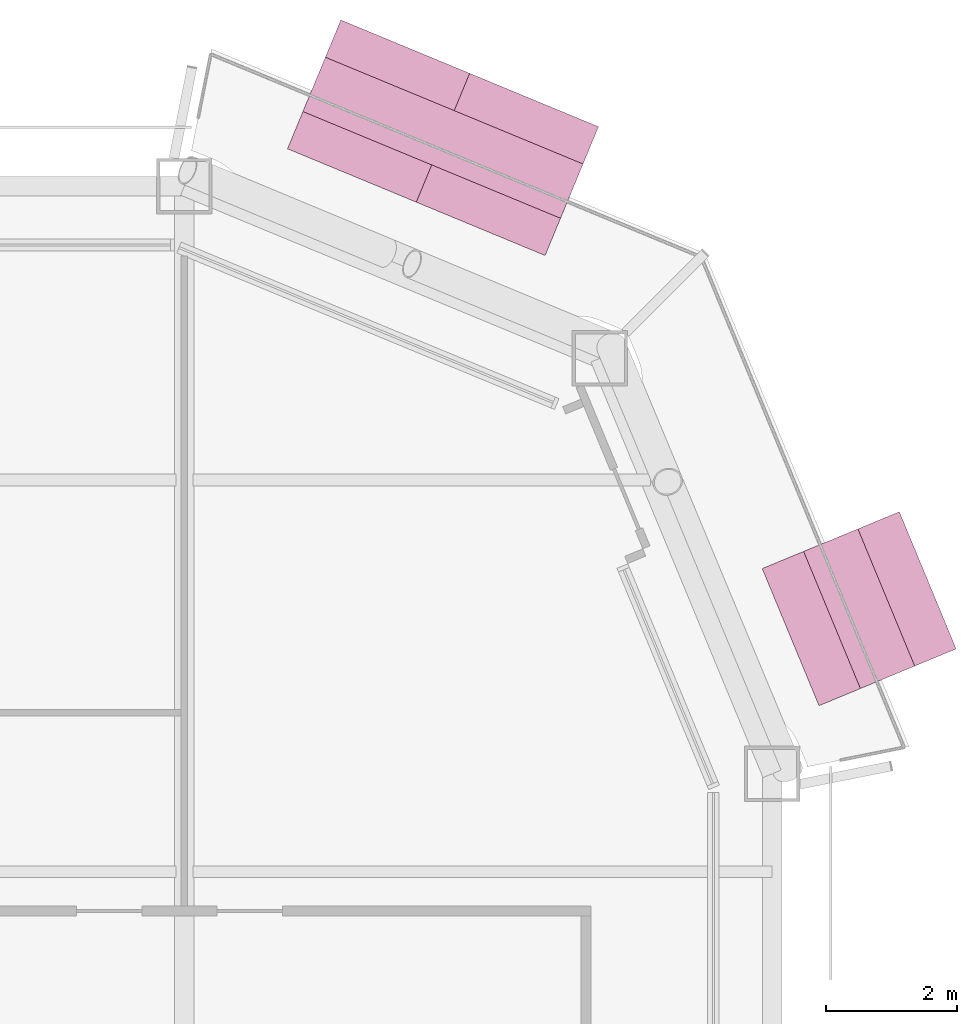
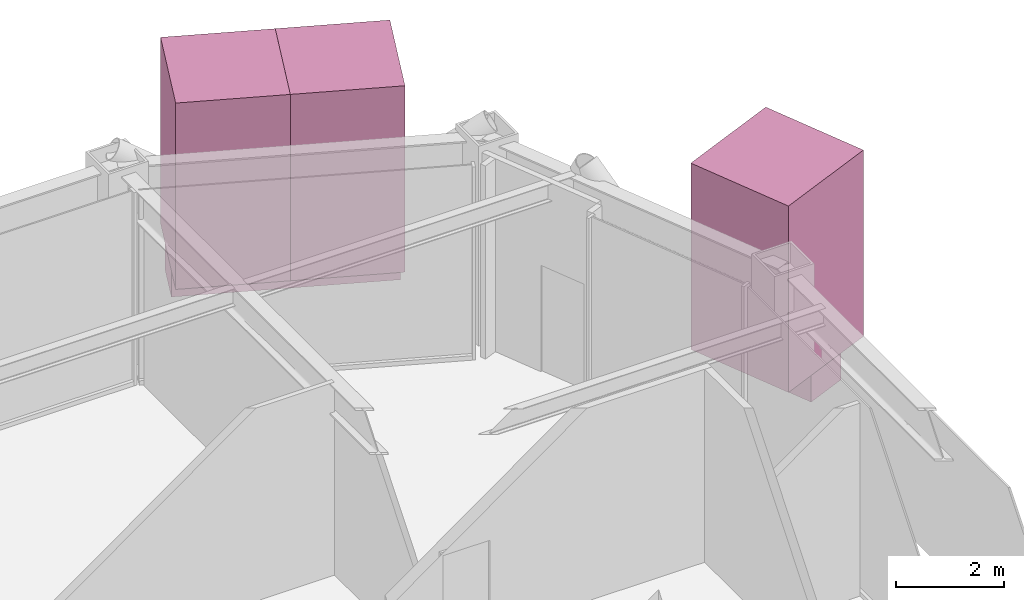
# One storey, part 23 of 23: 5 furnishings.
"""IFC4 building model written with IfcOpenShell, lengths in metres."""

from ifc_helpers import new_model, si_unit, direction, frame, origin, origin_2d, place, context, subcontext, project, spatial, rectangle, extrude, material, type_object, element, save


model = new_model("IFC4")

# Units and contexts
model_context = context("Model", 3, precision=1e-05, world=origin(), true_north=direction((0.0, 1.0)))
body_context = subcontext(model_context, "Body", "Model", "MODEL_VIEW")
ifc_project = project(units=[si_unit("LENGTHUNIT", "METRE"), si_unit("AREAUNIT", "SQUARE_METRE"), si_unit("VOLUMEUNIT", "CUBIC_METRE"), si_unit("PLANEANGLEUNIT", "RADIAN"), si_unit("MASSUNIT", "GRAM", prefix="KILO")], contexts=[model_context])

# Site, building, storey
site_placement = place(None, origin())
site = spatial("IfcSite", under=ifc_project, at=site_placement, CompositionType="ELEMENT")
building_placement = place(site_placement, origin())
building = spatial("IfcBuilding", under=site, at=building_placement, Name="Siwar Civic Tower", CompositionType="ELEMENT")
storey_placement = place(building_placement, frame((0.0, 0.0, 206.199951171875)))
storey = spatial("IfcBuildingStorey", under=building, at=storey_placement, Name="L44", CompositionType="ELEMENT", Elevation=206.199951171875)

# Furnishings
ifc_material_1 = material(Name="Planting soil and foliage")
furnishing_element_type_1 = type_object("IfcFurnishingElementType", Name="ENV-PLANTER", material=ifc_material_1)
furnishing_1_placement = place(storey_placement, frame((28.333984375, 20.5283203125, 0.0), z_axis=(0.0, 0.0, 1.0), x_axis=(-0.382683432365, 0.923879532511, 0.0)))
element("IfcFurnishingElement", 1, at=furnishing_1_placement, inside=storey, type_object=furnishing_element_type_1, Name="PLANTER NE 1", context=body_context, shape_type="SweptSolid", body=[
    extrude(rectangle(XDim=2.273193359375, YDim=0.89990234375, at=origin_2d()), origin(), (0.0, 0.0, 1.0), 0.60009765625),
])
furnishing_2_placement = place(storey_placement, frame((21.960205078125, 27.740966796875, 0.0), z_axis=(0.0, 0.0, 1.0), x_axis=(-0.923879532511, 0.382683432365, 0.0)))
element("IfcFurnishingElement", 2, at=furnishing_2_placement, inside=storey, type_object=furnishing_element_type_1, Name="PLANTER NE 2", context=body_context, shape_type="SweptSolid", body=[
    extrude(rectangle(XDim=4.270751953125, YDim=0.89990234375, at=origin_2d()), origin(), (0.0, 0.0, 1.0), 0.60009765625),
])
ifc_material_2 = material(Name="Planting soil and foliage")
furnishing_element_type_2 = type_object("IfcFurnishingElementType", Name="ENV-TREE", material=ifc_material_2)
furnishing_3_placement = place(storey_placement, frame((28.333984375, 20.5283203125, 0.60009765625), z_axis=(0.0, 0.0, 1.0), x_axis=(-0.382683432365, 0.923879532511, 0.0)))
element("IfcFurnishingElement", 3, at=furnishing_3_placement, inside=storey, type_object=furnishing_element_type_2, Name="PLANTER (TREE) NE 1.1", context=body_context, shape_type="SweptSolid", body=[
    extrude(rectangle(XDim=2.273193359375, YDim=2.273193359375, at=origin_2d()), origin(), (0.0, 0.0, 1.0), 4.199951171875),
])
for number, where, z_axis, x_axis, name in (
    (4, (22.94677734375, 27.332275390625, 0.60009765625), (0.0, 0.0, 1.0), (-0.923879532511, 0.382683432365, 0.0), "PLANTER (TREE) NE 2.1"),
    (5, (20.973876953125, 28.1494140625, 0.60009765625), (0.0, 0.0, 1.0), (-0.923879532511, 0.382683432365, 0.0), "PLANTER (TREE) NE 2.2"),
):
    element("IfcFurnishingElement", number, at=place(storey_placement, frame(where, z_axis=z_axis, x_axis=x_axis)), inside=storey, type_object=furnishing_element_type_2, Name=name, context=body_context, shape_type="SweptSolid", body=[
        extrude(rectangle(XDim=2.13525390625, YDim=2.13525390625, at=origin_2d()), origin(), (0.0, 0.0, 1.0), 4.199951171875),
    ])

save(model, "model.ifc")
